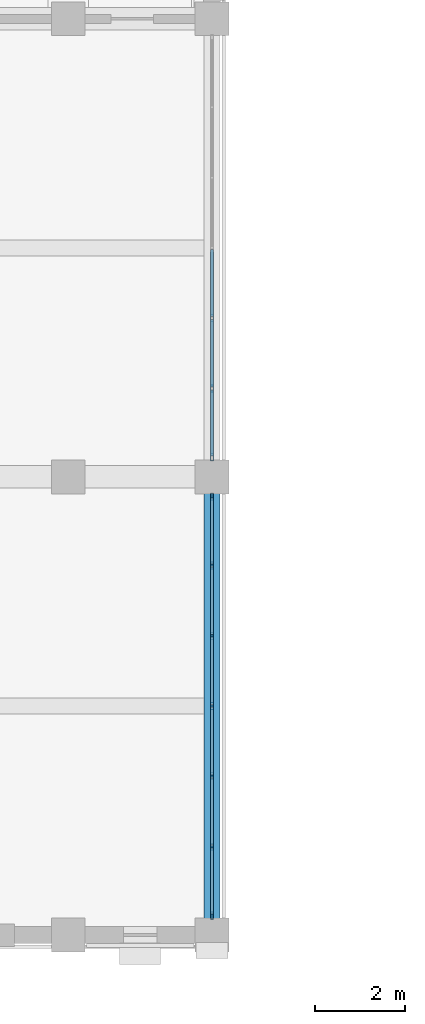
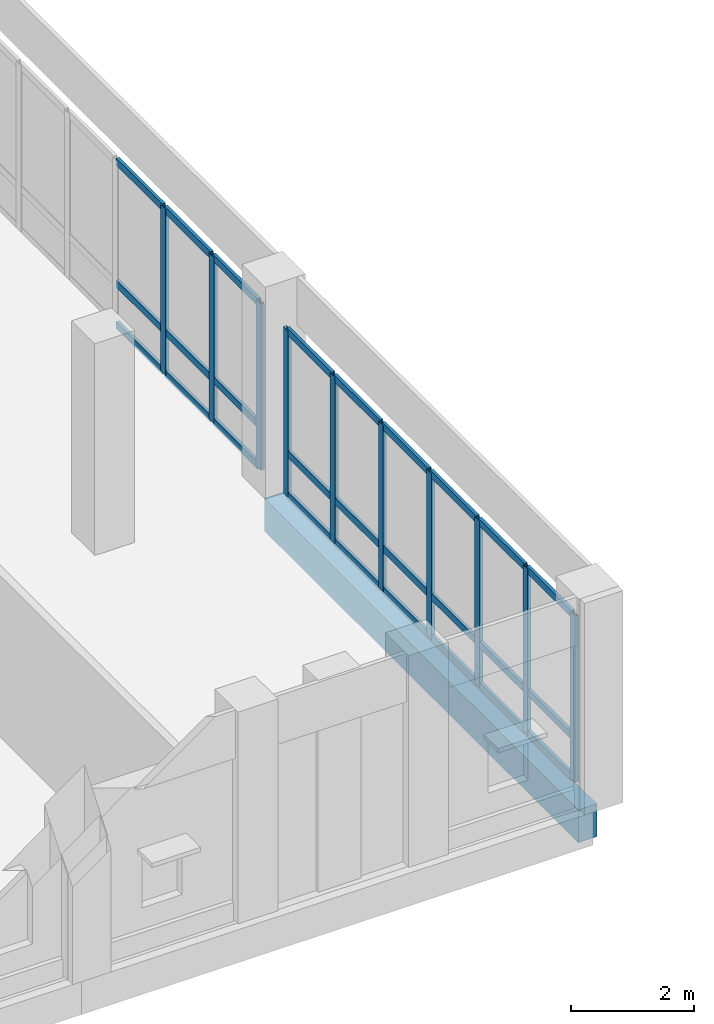
# One storey, part 21 of 170: 37 members, 1 beam, 2 elements without a shape of their own.
"""IFC4 building model written with IfcOpenShell, lengths in metres."""

from ifc_helpers import new_model, si_unit, direction, frame, origin, origin_2d, place, context, subcontext, project, spatial, rectangle, hollow_rectangle, extrude, material, material_profile, profile_set, type_object, element, aggregate, save


model = new_model("IFC4")

# Units and contexts
model_context = context("Model", 3, precision=1e-05, world=origin(), true_north=direction((0.0, 1.0)))
body_context = subcontext(model_context, "Body", "Model", "MODEL_VIEW")
ifc_project = project(units=[si_unit("LENGTHUNIT", "METRE"), si_unit("AREAUNIT", "SQUARE_METRE"), si_unit("VOLUMEUNIT", "CUBIC_METRE"), si_unit("PLANEANGLEUNIT", "RADIAN"), si_unit("MASSUNIT", "GRAM", prefix="KILO")], contexts=[model_context])

# Site, building, storey
site_placement = place(None, origin())
site = spatial("IfcSite", under=ifc_project, at=site_placement, CompositionType="ELEMENT")
building_placement = place(site_placement, origin())
building = spatial("IfcBuilding", under=site, at=building_placement, Name="Vondelvale Polytechnic", CompositionType="ELEMENT")
storey_placement = place(building_placement, frame((0.0, 0.0, 5.39990234375)))
storey = spatial("IfcBuildingStorey", under=building, at=storey_placement, Name="L01", CompositionType="ELEMENT", Elevation=5.39990234375)

# Curtain wall, members
ifc_material_1 = material(Name="Anodised extruded aluminium 6063-T6", Category="aluminium")
curtain_wall_type = type_object("IfcCurtainWallType", Name="CW-STUDIO-NORTH", PredefinedType="NOTDEFINED", material=ifc_material_1)
curtain_wall_1_placement = place(storey_placement, origin())
curtain_wall_1 = element("IfcCurtainWall", 1, at=curtain_wall_1_placement, inside=storey, type_object=curtain_wall_type, Name="L01 architectural curtain wall CW-01-007", PredefinedType="NOTDEFINED")
ifc_material_profile_1 = material_profile(ifc_material_1, hollow_rectangle(XDim=0.06494140625, YDim=0.159912109375, WallThickness=0.0048828125, at=origin_2d()), Name="CW-MUL-160x65")
ifc_profile_set_1 = profile_set([ifc_material_profile_1], Name="Anodised extruded aluminium 6063-T6")
member_type_1 = type_object("IfcMemberType", Name="CW-MUL-65x160", PredefinedType="MULLION", material=ifc_profile_set_1)
member_1_placement = place(storey_placement, frame((48.0, 0.4375, 0.0), z_axis=(0.0, 0.0, 1.0), x_axis=(-1.0, 0.0, 0.0)))
member_1 = element("IfcMember", 2, at=member_1_placement, type_object=member_type_1, Name="CW-01-007 mullion 1", PredefinedType="MULLION", context=body_context, shape_type="SweptSolid", body=[
    extrude(hollow_rectangle(XDim=0.06494140625, YDim=0.159912109375, WallThickness=0.0048828125, at=origin_2d()), origin(), (0.0, 0.0, 1.0), 3.300048828125),
])
member_2_placement = place(storey_placement, frame((48.0, 1.969970703125, 0.0), z_axis=(0.0, 0.0, 1.0), x_axis=(-1.0, 0.0, 0.0)))
member_2 = element("IfcMember", 3, at=member_2_placement, type_object=member_type_1, Name="CW-01-007 mullion 2", PredefinedType="MULLION", context=body_context, shape_type="SweptSolid", body=[
    extrude(hollow_rectangle(XDim=0.06494140625, YDim=0.159912109375, WallThickness=0.0048828125, at=origin_2d()), origin(), (0.0, 0.0, 1.0), 3.300048828125),
])
member_3_placement = place(storey_placement, frame((48.0, 3.534912109375, 0.0), z_axis=(0.0, 0.0, 1.0), x_axis=(-1.0, 0.0, 0.0)))
member_3 = element("IfcMember", 4, at=member_3_placement, type_object=member_type_1, Name="CW-01-007 mullion 3", PredefinedType="MULLION", context=body_context, shape_type="SweptSolid", body=[
    extrude(hollow_rectangle(XDim=0.06494140625, YDim=0.159912109375, WallThickness=0.0048828125, at=origin_2d()), origin(), (0.0, 0.0, 1.0), 3.300048828125),
])
member_4_placement = place(storey_placement, frame((48.0, 5.10009765625, 0.0), z_axis=(0.0, 0.0, 1.0), x_axis=(-1.0, 0.0, 0.0)))
member_4 = element("IfcMember", 5, at=member_4_placement, type_object=member_type_1, Name="CW-01-007 mullion 4", PredefinedType="MULLION", context=body_context, shape_type="SweptSolid", body=[
    extrude(hollow_rectangle(XDim=0.06494140625, YDim=0.159912109375, WallThickness=0.0048828125, at=origin_2d()), origin(), (0.0, 0.0, 1.0), 3.300048828125),
])
member_5_placement = place(storey_placement, frame((48.0, 6.6650390625, 0.0), z_axis=(0.0, 0.0, 1.0), x_axis=(-1.0, 0.0, 0.0)))
member_5 = element("IfcMember", 6, at=member_5_placement, type_object=member_type_1, Name="CW-01-007 mullion 5", PredefinedType="MULLION", context=body_context, shape_type="SweptSolid", body=[
    extrude(hollow_rectangle(XDim=0.06494140625, YDim=0.159912109375, WallThickness=0.0048828125, at=origin_2d()), origin(), (0.0, 0.0, 1.0), 3.300048828125),
])
member_6_placement = place(storey_placement, frame((48.0, 8.22998046875, 0.0), z_axis=(0.0, 0.0, 1.0), x_axis=(-1.0, 0.0, 0.0)))
member_6 = element("IfcMember", 7, at=member_6_placement, type_object=member_type_1, Name="CW-01-007 mullion 6", PredefinedType="MULLION", context=body_context, shape_type="SweptSolid", body=[
    extrude(hollow_rectangle(XDim=0.06494140625, YDim=0.159912109375, WallThickness=0.0048828125, at=origin_2d()), origin(), (0.0, 0.0, 1.0), 3.300048828125),
])
member_7_placement = place(storey_placement, frame((48.0, 9.762451171875, 0.0), z_axis=(0.0, 0.0, 1.0), x_axis=(-1.0, 0.0, 0.0)))
member_7 = element("IfcMember", 8, at=member_7_placement, type_object=member_type_1, Name="CW-01-007 mullion 7", PredefinedType="MULLION", context=body_context, shape_type="SweptSolid", body=[
    extrude(hollow_rectangle(XDim=0.06494140625, YDim=0.159912109375, WallThickness=0.0048828125, at=origin_2d()), origin(), (0.0, 0.0, 1.0), 3.300048828125),
])

curtain_wall_2_placement = place(storey_placement, origin())
curtain_wall_2 = element("IfcCurtainWall", 9, at=curtain_wall_2_placement, inside=storey, type_object=curtain_wall_type, Name="L01 architectural curtain wall CW-01-008", PredefinedType="NOTDEFINED")
member_8_placement = place(storey_placement, frame((48.0, 10.637451171875, 0.0), z_axis=(0.0, 0.0, 1.0), x_axis=(-1.0, 0.0, 0.0)))
member_8 = element("IfcMember", 10, at=member_8_placement, type_object=member_type_1, Name="CW-01-008 mullion 1", PredefinedType="MULLION", context=body_context, shape_type="SweptSolid", body=[
    extrude(hollow_rectangle(XDim=0.06494140625, YDim=0.159912109375, WallThickness=0.0048828125, at=origin_2d()), origin(), (0.0, 0.0, 1.0), 3.300048828125),
])
member_9_placement = place(storey_placement, frame((48.0, 12.169921875, 0.0), z_axis=(0.0, 0.0, 1.0), x_axis=(-1.0, 0.0, 0.0)))
member_9 = element("IfcMember", 11, at=member_9_placement, type_object=member_type_1, Name="CW-01-008 mullion 2", PredefinedType="MULLION", context=body_context, shape_type="SweptSolid", body=[
    extrude(hollow_rectangle(XDim=0.06494140625, YDim=0.159912109375, WallThickness=0.0048828125, at=origin_2d()), origin(), (0.0, 0.0, 1.0), 3.300048828125),
])
member_10_placement = place(storey_placement, frame((48.0, 13.735107421875, 0.0), z_axis=(0.0, 0.0, 1.0), x_axis=(-1.0, 0.0, 0.0)))
member_10 = element("IfcMember", 12, at=member_10_placement, type_object=member_type_1, Name="CW-01-008 mullion 3", PredefinedType="MULLION", context=body_context, shape_type="SweptSolid", body=[
    extrude(hollow_rectangle(XDim=0.06494140625, YDim=0.159912109375, WallThickness=0.0048828125, at=origin_2d()), origin(), (0.0, 0.0, 1.0), 3.300048828125),
])

# Member
ifc_material_profile_2 = material_profile(ifc_material_1, hollow_rectangle(XDim=0.06005859375, YDim=0.139892578125, WallThickness=0.00341796875, at=origin_2d()), Name="CW-TRN-140x60")
ifc_profile_set_2 = profile_set([ifc_material_profile_2], Name="Anodised extruded aluminium 6063-T6")
member_type_2 = type_object("IfcMemberType", Name="CW-TRN-60x140", PredefinedType="USERDEFINED", material=ifc_profile_set_2)
member_11_placement = place(storey_placement, frame((48.0, 0.469970703125, 0.030029296875), z_axis=(0.0, 1.0, 0.0), x_axis=(-1.0, 0.0, 0.0)))
member_11 = element("IfcMember", 13, at=member_11_placement, type_object=member_type_2, Name="CW-01-007 transom 1.1", ObjectType="TRANSOM", PredefinedType="USERDEFINED", context=body_context, shape_type="SweptSolid", body=[
    extrude(hollow_rectangle(XDim=0.06005859375, YDim=0.139892578125, WallThickness=0.00341796875, at=origin_2d()), origin(), (0.0, 0.0, 1.0), 1.467529296875),
])

member_12_placement = place(storey_placement, frame((48.0, 0.469970703125, 0.85009765625), z_axis=(0.0, 1.0, 0.0), x_axis=(-1.0, 0.0, 0.0)))
member_12 = element("IfcMember", 14, at=member_12_placement, type_object=member_type_2, Name="CW-01-007 transom 1.2", ObjectType="TRANSOM", PredefinedType="USERDEFINED", context=body_context, shape_type="SweptSolid", body=[
    extrude(hollow_rectangle(XDim=0.06005859375, YDim=0.139892578125, WallThickness=0.00341796875, at=origin_2d()), origin(), (0.0, 0.0, 1.0), 1.467529296875),
])

member_13_placement = place(storey_placement, frame((48.0, 0.469970703125, 3.27001953125), z_axis=(0.0, 1.0, 0.0), x_axis=(-1.0, 0.0, 0.0)))
member_13 = element("IfcMember", 15, at=member_13_placement, type_object=member_type_2, Name="CW-01-007 transom 1.3", ObjectType="TRANSOM", PredefinedType="USERDEFINED", context=body_context, shape_type="SweptSolid", body=[
    extrude(hollow_rectangle(XDim=0.06005859375, YDim=0.139892578125, WallThickness=0.00341796875, at=origin_2d()), origin(), (0.0, 0.0, 1.0), 1.467529296875),
])

member_14_placement = place(storey_placement, frame((48.0, 2.00244140625, 0.030029296875), z_axis=(0.0, 1.0, 0.0), x_axis=(-1.0, 0.0, 0.0)))
member_14 = element("IfcMember", 16, at=member_14_placement, type_object=member_type_2, Name="CW-01-007 transom 2.1", ObjectType="TRANSOM", PredefinedType="USERDEFINED", context=body_context, shape_type="SweptSolid", body=[
    extrude(hollow_rectangle(XDim=0.06005859375, YDim=0.139892578125, WallThickness=0.00341796875, at=origin_2d()), origin(), (0.0, 0.0, 1.0), 1.5),
])

member_15_placement = place(storey_placement, frame((48.0, 2.00244140625, 0.85009765625), z_axis=(0.0, 1.0, 0.0), x_axis=(-1.0, 0.0, 0.0)))
member_15 = element("IfcMember", 17, at=member_15_placement, type_object=member_type_2, Name="CW-01-007 transom 2.2", ObjectType="TRANSOM", PredefinedType="USERDEFINED", context=body_context, shape_type="SweptSolid", body=[
    extrude(hollow_rectangle(XDim=0.06005859375, YDim=0.139892578125, WallThickness=0.00341796875, at=origin_2d()), origin(), (0.0, 0.0, 1.0), 1.5),
])

member_16_placement = place(storey_placement, frame((48.0, 2.00244140625, 3.27001953125), z_axis=(0.0, 1.0, 0.0), x_axis=(-1.0, 0.0, 0.0)))
member_16 = element("IfcMember", 18, at=member_16_placement, type_object=member_type_2, Name="CW-01-007 transom 2.3", ObjectType="TRANSOM", PredefinedType="USERDEFINED", context=body_context, shape_type="SweptSolid", body=[
    extrude(hollow_rectangle(XDim=0.06005859375, YDim=0.139892578125, WallThickness=0.00341796875, at=origin_2d()), origin(), (0.0, 0.0, 1.0), 1.5),
])

member_17_placement = place(storey_placement, frame((48.0, 3.5673828125, 0.030029296875), z_axis=(0.0, 1.0, 0.0), x_axis=(-1.0, 0.0, 0.0)))
member_17 = element("IfcMember", 19, at=member_17_placement, type_object=member_type_2, Name="CW-01-007 transom 3.1", ObjectType="TRANSOM", PredefinedType="USERDEFINED", context=body_context, shape_type="SweptSolid", body=[
    extrude(hollow_rectangle(XDim=0.06005859375, YDim=0.139892578125, WallThickness=0.00341796875, at=origin_2d()), origin(), (0.0, 0.0, 1.0), 1.5),
])

member_18_placement = place(storey_placement, frame((48.0, 3.5673828125, 0.85009765625), z_axis=(0.0, 1.0, 0.0), x_axis=(-1.0, 0.0, 0.0)))
member_18 = element("IfcMember", 20, at=member_18_placement, type_object=member_type_2, Name="CW-01-007 transom 3.2", ObjectType="TRANSOM", PredefinedType="USERDEFINED", context=body_context, shape_type="SweptSolid", body=[
    extrude(hollow_rectangle(XDim=0.06005859375, YDim=0.139892578125, WallThickness=0.00341796875, at=origin_2d()), origin(), (0.0, 0.0, 1.0), 1.5),
])

member_19_placement = place(storey_placement, frame((48.0, 3.5673828125, 3.27001953125), z_axis=(0.0, 1.0, 0.0), x_axis=(-1.0, 0.0, 0.0)))
member_19 = element("IfcMember", 21, at=member_19_placement, type_object=member_type_2, Name="CW-01-007 transom 3.3", ObjectType="TRANSOM", PredefinedType="USERDEFINED", context=body_context, shape_type="SweptSolid", body=[
    extrude(hollow_rectangle(XDim=0.06005859375, YDim=0.139892578125, WallThickness=0.00341796875, at=origin_2d()), origin(), (0.0, 0.0, 1.0), 1.5),
])

member_20_placement = place(storey_placement, frame((48.0, 5.132568359375, 0.030029296875), z_axis=(0.0, 1.0, 0.0), x_axis=(-1.0, 0.0, 0.0)))
member_20 = element("IfcMember", 22, at=member_20_placement, type_object=member_type_2, Name="CW-01-007 transom 4.1", ObjectType="TRANSOM", PredefinedType="USERDEFINED", context=body_context, shape_type="SweptSolid", body=[
    extrude(hollow_rectangle(XDim=0.06005859375, YDim=0.139892578125, WallThickness=0.00341796875, at=origin_2d()), origin(), (0.0, 0.0, 1.0), 1.5),
])

member_21_placement = place(storey_placement, frame((48.0, 5.132568359375, 0.85009765625), z_axis=(0.0, 1.0, 0.0), x_axis=(-1.0, 0.0, 0.0)))
member_21 = element("IfcMember", 23, at=member_21_placement, type_object=member_type_2, Name="CW-01-007 transom 4.2", ObjectType="TRANSOM", PredefinedType="USERDEFINED", context=body_context, shape_type="SweptSolid", body=[
    extrude(hollow_rectangle(XDim=0.06005859375, YDim=0.139892578125, WallThickness=0.00341796875, at=origin_2d()), origin(), (0.0, 0.0, 1.0), 1.5),
])

member_22_placement = place(storey_placement, frame((48.0, 5.132568359375, 3.27001953125), z_axis=(0.0, 1.0, 0.0), x_axis=(-1.0, 0.0, 0.0)))
member_22 = element("IfcMember", 24, at=member_22_placement, type_object=member_type_2, Name="CW-01-007 transom 4.3", ObjectType="TRANSOM", PredefinedType="USERDEFINED", context=body_context, shape_type="SweptSolid", body=[
    extrude(hollow_rectangle(XDim=0.06005859375, YDim=0.139892578125, WallThickness=0.00341796875, at=origin_2d()), origin(), (0.0, 0.0, 1.0), 1.5),
])

member_23_placement = place(storey_placement, frame((48.0, 6.697509765625, 0.030029296875), z_axis=(0.0, 1.0, 0.0), x_axis=(-1.0, 0.0, 0.0)))
member_23 = element("IfcMember", 25, at=member_23_placement, type_object=member_type_2, Name="CW-01-007 transom 5.1", ObjectType="TRANSOM", PredefinedType="USERDEFINED", context=body_context, shape_type="SweptSolid", body=[
    extrude(hollow_rectangle(XDim=0.06005859375, YDim=0.139892578125, WallThickness=0.00341796875, at=origin_2d()), origin(), (0.0, 0.0, 1.0), 1.5),
])

member_24_placement = place(storey_placement, frame((48.0, 6.697509765625, 0.85009765625), z_axis=(0.0, 1.0, 0.0), x_axis=(-1.0, 0.0, 0.0)))
member_24 = element("IfcMember", 26, at=member_24_placement, type_object=member_type_2, Name="CW-01-007 transom 5.2", ObjectType="TRANSOM", PredefinedType="USERDEFINED", context=body_context, shape_type="SweptSolid", body=[
    extrude(hollow_rectangle(XDim=0.06005859375, YDim=0.139892578125, WallThickness=0.00341796875, at=origin_2d()), origin(), (0.0, 0.0, 1.0), 1.5),
])

member_25_placement = place(storey_placement, frame((48.0, 6.697509765625, 3.27001953125), z_axis=(0.0, 1.0, 0.0), x_axis=(-1.0, 0.0, 0.0)))
member_25 = element("IfcMember", 27, at=member_25_placement, type_object=member_type_2, Name="CW-01-007 transom 5.3", ObjectType="TRANSOM", PredefinedType="USERDEFINED", context=body_context, shape_type="SweptSolid", body=[
    extrude(hollow_rectangle(XDim=0.06005859375, YDim=0.139892578125, WallThickness=0.00341796875, at=origin_2d()), origin(), (0.0, 0.0, 1.0), 1.5),
])

member_26_placement = place(storey_placement, frame((48.0, 8.262451171875, 0.030029296875), z_axis=(0.0, 1.0, 0.0), x_axis=(-1.0, 0.0, 0.0)))
member_26 = element("IfcMember", 28, at=member_26_placement, type_object=member_type_2, Name="CW-01-007 transom 6.1", ObjectType="TRANSOM", PredefinedType="USERDEFINED", context=body_context, shape_type="SweptSolid", body=[
    extrude(hollow_rectangle(XDim=0.06005859375, YDim=0.139892578125, WallThickness=0.00341796875, at=origin_2d()), origin(), (0.0, 0.0, 1.0), 1.467529296875),
])

member_27_placement = place(storey_placement, frame((48.0, 8.262451171875, 0.85009765625), z_axis=(0.0, 1.0, 0.0), x_axis=(-1.0, 0.0, 0.0)))
member_27 = element("IfcMember", 29, at=member_27_placement, type_object=member_type_2, Name="CW-01-007 transom 6.2", ObjectType="TRANSOM", PredefinedType="USERDEFINED", context=body_context, shape_type="SweptSolid", body=[
    extrude(hollow_rectangle(XDim=0.06005859375, YDim=0.139892578125, WallThickness=0.00341796875, at=origin_2d()), origin(), (0.0, 0.0, 1.0), 1.467529296875),
])

member_28_placement = place(storey_placement, frame((48.0, 8.262451171875, 3.27001953125), z_axis=(0.0, 1.0, 0.0), x_axis=(-1.0, 0.0, 0.0)))
member_28 = element("IfcMember", 30, at=member_28_placement, type_object=member_type_2, Name="CW-01-007 transom 6.3", ObjectType="TRANSOM", PredefinedType="USERDEFINED", context=body_context, shape_type="SweptSolid", body=[
    extrude(hollow_rectangle(XDim=0.06005859375, YDim=0.139892578125, WallThickness=0.00341796875, at=origin_2d()), origin(), (0.0, 0.0, 1.0), 1.467529296875),
])

aggregate(curtain_wall_1, [member_1, member_2, member_3, member_4, member_5, member_6, member_7, member_11, member_12, member_13, member_14, member_15, member_16, member_17, member_18, member_19, member_20, member_21, member_22, member_23, member_24, member_25, member_26, member_27, member_28])

member_29_placement = place(storey_placement, frame((48.0, 10.669921875, 0.030029296875), z_axis=(0.0, 1.0, 0.0), x_axis=(-1.0, 0.0, 0.0)))
member_29 = element("IfcMember", 31, at=member_29_placement, type_object=member_type_2, Name="CW-01-008 transom 1.1", ObjectType="TRANSOM", PredefinedType="USERDEFINED", context=body_context, shape_type="SweptSolid", body=[
    extrude(hollow_rectangle(XDim=0.06005859375, YDim=0.139892578125, WallThickness=0.00341796875, at=origin_2d()), origin(), (0.0, 0.0, 1.0), 1.467529296875),
])

member_30_placement = place(storey_placement, frame((48.0, 10.669921875, 0.85009765625), z_axis=(0.0, 1.0, 0.0), x_axis=(-1.0, 0.0, 0.0)))
member_30 = element("IfcMember", 32, at=member_30_placement, type_object=member_type_2, Name="CW-01-008 transom 1.2", ObjectType="TRANSOM", PredefinedType="USERDEFINED", context=body_context, shape_type="SweptSolid", body=[
    extrude(hollow_rectangle(XDim=0.06005859375, YDim=0.139892578125, WallThickness=0.00341796875, at=origin_2d()), origin(), (0.0, 0.0, 1.0), 1.467529296875),
])

member_31_placement = place(storey_placement, frame((48.0, 10.669921875, 3.27001953125), z_axis=(0.0, 1.0, 0.0), x_axis=(-1.0, 0.0, 0.0)))
member_31 = element("IfcMember", 33, at=member_31_placement, type_object=member_type_2, Name="CW-01-008 transom 1.3", ObjectType="TRANSOM", PredefinedType="USERDEFINED", context=body_context, shape_type="SweptSolid", body=[
    extrude(hollow_rectangle(XDim=0.06005859375, YDim=0.139892578125, WallThickness=0.00341796875, at=origin_2d()), origin(), (0.0, 0.0, 1.0), 1.467529296875),
])

member_32_placement = place(storey_placement, frame((48.0, 12.202392578125, 0.030029296875), z_axis=(0.0, 1.0, 0.0), x_axis=(-1.0, 0.0, 0.0)))
member_32 = element("IfcMember", 34, at=member_32_placement, type_object=member_type_2, Name="CW-01-008 transom 2.1", ObjectType="TRANSOM", PredefinedType="USERDEFINED", context=body_context, shape_type="SweptSolid", body=[
    extrude(hollow_rectangle(XDim=0.06005859375, YDim=0.139892578125, WallThickness=0.00341796875, at=origin_2d()), origin(), (0.0, 0.0, 1.0), 1.5),
])

member_33_placement = place(storey_placement, frame((48.0, 12.202392578125, 0.85009765625), z_axis=(0.0, 1.0, 0.0), x_axis=(-1.0, 0.0, 0.0)))
member_33 = element("IfcMember", 35, at=member_33_placement, type_object=member_type_2, Name="CW-01-008 transom 2.2", ObjectType="TRANSOM", PredefinedType="USERDEFINED", context=body_context, shape_type="SweptSolid", body=[
    extrude(hollow_rectangle(XDim=0.06005859375, YDim=0.139892578125, WallThickness=0.00341796875, at=origin_2d()), origin(), (0.0, 0.0, 1.0), 1.5),
])

member_34_placement = place(storey_placement, frame((48.0, 12.202392578125, 3.27001953125), z_axis=(0.0, 1.0, 0.0), x_axis=(-1.0, 0.0, 0.0)))
member_34 = element("IfcMember", 36, at=member_34_placement, type_object=member_type_2, Name="CW-01-008 transom 2.3", ObjectType="TRANSOM", PredefinedType="USERDEFINED", context=body_context, shape_type="SweptSolid", body=[
    extrude(hollow_rectangle(XDim=0.06005859375, YDim=0.139892578125, WallThickness=0.00341796875, at=origin_2d()), origin(), (0.0, 0.0, 1.0), 1.5),
])

member_35_placement = place(storey_placement, frame((48.0, 13.767578125, 0.030029296875), z_axis=(0.0, 1.0, 0.0), x_axis=(-1.0, 0.0, 0.0)))
member_35 = element("IfcMember", 37, at=member_35_placement, type_object=member_type_2, Name="CW-01-008 transom 3.1", ObjectType="TRANSOM", PredefinedType="USERDEFINED", context=body_context, shape_type="SweptSolid", body=[
    extrude(hollow_rectangle(XDim=0.06005859375, YDim=0.139892578125, WallThickness=0.00341796875, at=origin_2d()), origin(), (0.0, 0.0, 1.0), 1.5),
])

member_36_placement = place(storey_placement, frame((48.0, 13.767578125, 0.85009765625), z_axis=(0.0, 1.0, 0.0), x_axis=(-1.0, 0.0, 0.0)))
member_36 = element("IfcMember", 38, at=member_36_placement, type_object=member_type_2, Name="CW-01-008 transom 3.2", ObjectType="TRANSOM", PredefinedType="USERDEFINED", context=body_context, shape_type="SweptSolid", body=[
    extrude(hollow_rectangle(XDim=0.06005859375, YDim=0.139892578125, WallThickness=0.00341796875, at=origin_2d()), origin(), (0.0, 0.0, 1.0), 1.5),
])

member_37_placement = place(storey_placement, frame((48.0, 13.767578125, 3.27001953125), z_axis=(0.0, 1.0, 0.0), x_axis=(-1.0, 0.0, 0.0)))
member_37 = element("IfcMember", 39, at=member_37_placement, type_object=member_type_2, Name="CW-01-008 transom 3.3", ObjectType="TRANSOM", PredefinedType="USERDEFINED", context=body_context, shape_type="SweptSolid", body=[
    extrude(hollow_rectangle(XDim=0.06005859375, YDim=0.139892578125, WallThickness=0.00341796875, at=origin_2d()), origin(), (0.0, 0.0, 1.0), 1.5),
])

aggregate(curtain_wall_2, [member_8, member_9, member_10, member_29, member_30, member_31, member_32, member_33, member_34, member_35, member_36, member_37])

# Beam
ifc_material_2 = material(Name="Precast concrete N40 (f'c = 40 MPa)", Category="concrete")
ifc_material_profile_3 = material_profile(ifc_material_2, rectangle(XDim=0.35009765625, YDim=0.64990234375, at=origin_2d()), Name="RC-SPN-350x650")
ifc_profile_set_3 = profile_set([ifc_material_profile_3], Name="Precast concrete N40 (f'c = 40 MPa)")
beam_type = type_object("IfcBeamType", Name="SPN-PRE350x650", PredefinedType="SPANDREL", material=ifc_profile_set_3)
beam_placement = place(storey_placement, frame((48.0, 0.0, -0.60498046875), z_axis=(0.0, 1.0, 0.0), x_axis=(-1.0, 0.0, 0.0)))
element("IfcBeam", 40, at=beam_placement, inside=storey, type_object=beam_type, Name="L01 B SP-02", PredefinedType="SPANDREL", context=body_context, shape_type="SweptSolid", body=[
    extrude(rectangle(XDim=0.35009765625, YDim=0.64990234375, at=origin_2d()), origin(), (0.0, 0.0, 1.0), 10.199951171875),
])

save(model, "model.ifc")
